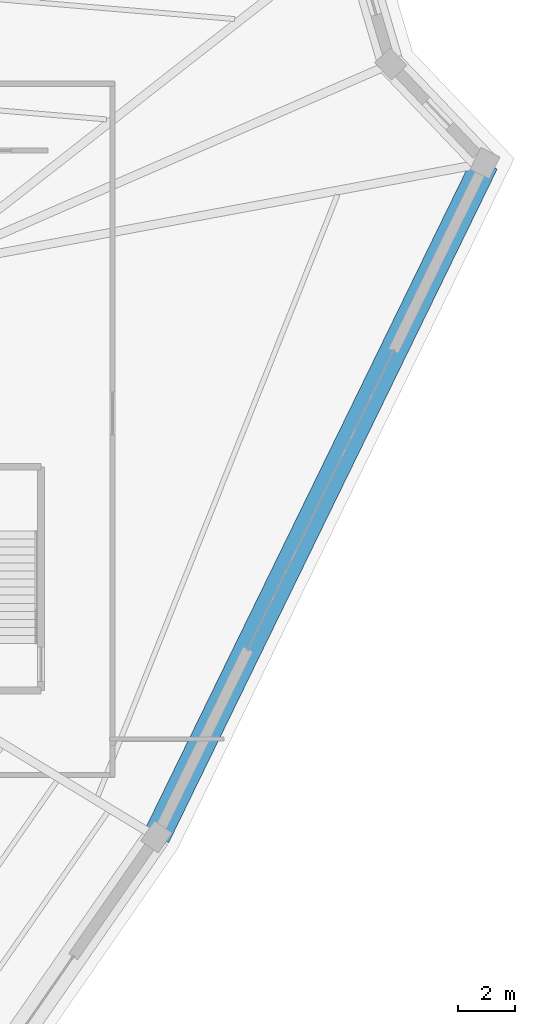
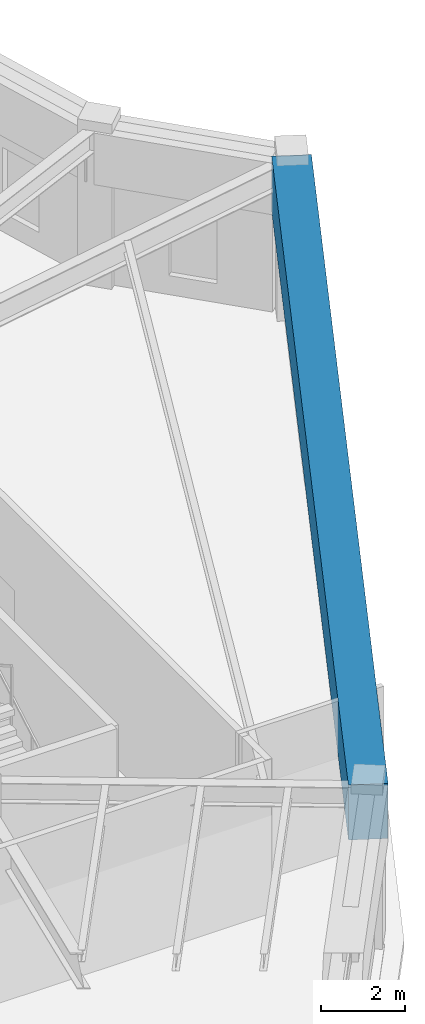
# One storey, part 17 of 40: 1 beam.
"""IFC4 building model written with IfcOpenShell, lengths in metres."""

import ifcopenshell
import ifcopenshell.guid

model = None  # the IFC model being written
_history = None  # IfcOwnerHistory: only IFC2X3 demands one
_inside = {}  # id of a spatial element -> (the spatial element, [elements in it])
_under = {}  # id of a project, library or spatial element -> (it, [spatial elements below it])
_declared = {}  # id of a project -> (the project, [libraries it declares])
_typed = {}  # id of a type object -> (the type object, [elements of that type])
_made_of = {}  # id of a material, layer set ... -> (it, [elements and type objects made of it])


def new_model(schema):
    """Start an empty IFC model of exactly this schema.

    Asked for "IFC4X3", IfcOpenShell would pick the latest addendum, in which some entities
    have other attributes; the version numbers below select the first issue.
    IFC2X3 requires an IfcOwnerHistory on every rooted entity: one is made here for all.
    """
    global model, _history
    if schema == "IFC4X3":
        model = ifcopenshell.file(schema_version=(4, 3, 0, 0))
    else:
        model = ifcopenshell.file(schema=schema)
    _inside.clear()
    _under.clear()
    _declared.clear()
    _typed.clear()
    _made_of.clear()
    _history = None
    if model.schema == "IFC2X3":
        org = make("IfcOrganization", Name="unknown")
        user = make(
            "IfcPersonAndOrganization",
            ThePerson=make("IfcPerson", FamilyName="unknown"),
            TheOrganization=org,
        )
        app = make(
            "IfcApplication",
            ApplicationDeveloper=org,
            Version="unknown",
            ApplicationFullName="unknown",
            ApplicationIdentifier="unknown",
        )
        _history = make(
            "IfcOwnerHistory",
            OwningUser=user,
            OwningApplication=app,
            ChangeAction="ADDED",
            CreationDate=0,
        )
    return model


def make(cls, **values):
    """One entity of the class cls with the attributes given. An attribute that is None is left unset."""
    return model.create_entity(
        cls, **{name: value for name, value in values.items() if value is not None}
    )


def rooted(cls, **values):
    """An entity with a GlobalId (a new one), such as an element, a storey or a relation."""
    return make(cls, GlobalId=ifcopenshell.guid.new(), OwnerHistory=_history, **values)


def si_unit(unit_type, name, prefix=None):
    """IfcSIUnit, for example si_unit("LENGTHUNIT", "METRE", prefix="MILLI")."""
    return make("IfcSIUnit", UnitType=unit_type, Prefix=prefix, Name=name)


def assignment(units):
    """IfcUnitAssignment: the units of a project."""
    return None if units is None else make("IfcUnitAssignment", Units=units)


def point(xyz):
    """IfcCartesianPoint."""
    return None if xyz is None else make("IfcCartesianPoint", Coordinates=xyz)


def direction(xyz):
    """IfcDirection."""
    return None if xyz is None else make("IfcDirection", DirectionRatios=xyz)


def frame(location, z_axis=None, x_axis=None):
    """IfcAxis2Placement3D, a coordinate frame: its origin and axes. An axis left out is left unset."""
    return make(
        "IfcAxis2Placement3D",
        Location=point(location),
        Axis=direction(z_axis),
        RefDirection=direction(x_axis),
    )


def frame_2d(location, x_axis=None):
    """IfcAxis2Placement2D, a coordinate frame in the plane: its origin and x axis."""
    return make(
        "IfcAxis2Placement2D", Location=point(location), RefDirection=direction(x_axis)
    )


def origin():
    """The frame at (0, 0, 0) with its axes left unset."""
    return frame((0.0, 0.0, 0.0))


def origin_2d():
    """The frame at (0, 0) in the plane with its x axis left unset."""
    return frame_2d((0.0, 0.0))


def place(relative_to, where):
    """IfcLocalPlacement: puts the frame where relative to a parent placement (None: the world)."""
    return make(
        "IfcLocalPlacement", PlacementRelTo=relative_to, RelativePlacement=where
    )


def context(
    kind, dimensions, precision=None, world=None, true_north=None, identifier=None
):
    """IfcGeometricRepresentationContext, for example the 3D "Model" context."""
    return make(
        "IfcGeometricRepresentationContext",
        ContextIdentifier=identifier,
        ContextType=kind,
        CoordinateSpaceDimension=dimensions,
        Precision=precision,
        WorldCoordinateSystem=world,
        TrueNorth=true_north,
    )


def subcontext(parent, identifier, kind, view, scale=None):
    """IfcGeometricRepresentationSubContext, for example "Body" below "Model"."""
    return make(
        "IfcGeometricRepresentationSubContext",
        ContextIdentifier=identifier,
        ContextType=kind,
        ParentContext=parent,
        TargetScale=scale,
        TargetView=view,
    )


def project(units=None, contexts=None):
    """IfcProject with its units and contexts."""
    return rooted(
        "IfcProject",
        Name="project",
        RepresentationContexts=contexts,
        UnitsInContext=assignment(units),
    )


def spatial(cls, under=None, at=None, **own):
    """A site, building, storey or space (cls), placed at a placement, below another one or the project."""
    s = rooted(cls, ObjectPlacement=at, **own)
    if under is not None:
        _under.setdefault(under.id(), (under, []))[1].append(s)
    return s


def profile(cls, at=None, kind="AREA", **sizes):
    """A parametric profile (cls). Its sizes go by their IFC names, for example OverallWidth=200.0."""
    return make(cls, ProfileType=kind, Position=at, **sizes)


def rectangle(**sizes):
    """IfcRectangleProfileDef."""
    return profile("IfcRectangleProfileDef", **sizes)


def extrude(swept, where, along, depth):
    """IfcExtrudedAreaSolid: the profile swept, set in the frame where, extruded along a direction by depth."""
    return make(
        "IfcExtrudedAreaSolid",
        SweptArea=swept,
        Position=where,
        ExtrudedDirection=direction(along),
        Depth=depth,
    )


def shape(context_of_items, identifier, shape_type, items):
    """IfcShapeRepresentation: the items that make up one representation, for example the "Body"."""
    return make(
        "IfcShapeRepresentation",
        ContextOfItems=context_of_items,
        RepresentationIdentifier=identifier,
        RepresentationType=shape_type,
        Items=items,
    )


def source(mapping_origin, context_of_items, identifier, shape_type, items):
    """IfcRepresentationMap: a shape defined once, which mapped items show again and again."""
    return make(
        "IfcRepresentationMap",
        MappingOrigin=mapping_origin,
        MappedRepresentation=shape(context_of_items, identifier, shape_type, items),
    )


def transform(
    local_origin,
    x_axis=None,
    y_axis=None,
    z_axis=None,
    scale=None,
    scale2=None,
    scale3=None,
    uniform=True,
):
    """IfcCartesianTransformationOperator3D, or its non-uniform kind. x_axis, y_axis, z_axis: its Axis1, 2, 3."""
    if uniform:
        return make(
            "IfcCartesianTransformationOperator3D",
            Axis1=direction(x_axis),
            Axis2=direction(y_axis),
            LocalOrigin=point(local_origin),
            Scale=scale,
            Axis3=direction(z_axis),
        )
    return make(
        "IfcCartesianTransformationOperator3DnonUniform",
        Axis1=direction(x_axis),
        Axis2=direction(y_axis),
        LocalOrigin=point(local_origin),
        Scale=scale,
        Axis3=direction(z_axis),
        Scale2=scale2,
        Scale3=scale3,
    )


def mapped(mapping_source, mapping_target):
    """IfcMappedItem: shows the shape of a source again, moved by a transform."""
    return make(
        "IfcMappedItem", MappingSource=mapping_source, MappingTarget=mapping_target
    )


def material(Name=None, Category=None):
    """IfcMaterial."""
    return make("IfcMaterial", Name=Name, Category=Category)


def material_profile(
    of_material, cross_section, Name=None, Category=None, Priority=None
):
    """IfcMaterialProfile: a cross section and its material."""
    return make(
        "IfcMaterialProfile",
        Name=Name,
        Material=of_material,
        Profile=cross_section,
        Priority=Priority,
        Category=Category,
    )


def profile_set(profiles, Name=None, composite=None):
    """IfcMaterialProfileSet."""
    return make(
        "IfcMaterialProfileSet",
        Name=Name,
        MaterialProfiles=profiles,
        CompositeProfile=composite,
    )


def made_of(thing, what):
    """Note that an element or type object is made of a material, layer set ...; save() writes the relation."""
    if what is not None:
        _made_of.setdefault(what.id(), (what, []))[1].append(thing)
    return thing


def type_object(cls, material=None, **own):
    """A type object (cls), such as IfcWallType, which elements share."""
    return made_of(rooted(cls, **own), material)


def element(
    cls,
    number,
    at=None,
    inside=None,
    cuts=None,
    type_object=None,
    material=None,
    context=None,
    identifier="Body",
    shape_type=None,
    held_by="IfcProductDefinitionShape",
    body=None,
    shapes=None,
    **own,
):
    """One element of the class cls, such as IfcWall. Its Tag is "e" and its number.

    at: its placement. inside: the storey or other place that contains it. cuts: it is an
    opening in that element (IfcRelVoidsElement). A single representation is given by context,
    identifier, shape_type and body (its items); several are given by shapes. held_by: the class
    of the entity that holds the representations. save() writes the other relations.
    """
    e = rooted(cls, Tag="e%d" % number, ObjectPlacement=at, **own)
    if body is not None:
        shapes = [shape(context, identifier, shape_type, body)]
    if shapes is not None:
        e.Representation = make(held_by, Representations=shapes)
    if inside is not None:
        _inside.setdefault(inside.id(), (inside, []))[1].append(e)
    if cuts is not None:
        rooted(
            "IfcRelVoidsElement", RelatingBuildingElement=cuts, RelatedOpeningElement=e
        )
    if type_object is not None:
        _typed.setdefault(type_object.id(), (type_object, []))[1].append(e)
    return made_of(e, material)


def aggregate(whole, parts):
    """IfcRelAggregates: a whole, such as a stair, and the parts it consists of."""
    return rooted("IfcRelAggregates", RelatingObject=whole, RelatedObjects=parts)


def save(model, path):
    """Write the relations noted so far, then the file.

    IfcRelAggregates (storeys below a building ...), IfcRelContainedInSpatialStructure (elements
    in a storey), IfcRelDefinesByType, IfcRelAssociatesMaterial and IfcRelDeclares: one each for
    every whole, place, type object, material and project.
    """
    for whole, parts in _under.values():
        aggregate(whole, parts)
    for where, things in _inside.values():
        rooted(
            "IfcRelContainedInSpatialStructure",
            RelatedElements=things,
            RelatingStructure=where,
        )
    for kind, things in _typed.values():
        rooted("IfcRelDefinesByType", RelatedObjects=things, RelatingType=kind)
    for what, things in _made_of.values():
        rooted("IfcRelAssociatesMaterial", RelatedObjects=things, RelatingMaterial=what)
    for by, libraries in _declared.values():
        rooted("IfcRelDeclares", RelatingContext=by, RelatedDefinitions=libraries)
    model.write(path)


model = new_model("IFC4")

# Units and contexts
model_context = context("Model", 3, precision=1e-05, world=origin(), true_north=direction((0.0, 1.0)))
body_context = subcontext(model_context, "Body", "Model", "MODEL_VIEW")
ifc_project = project(units=[si_unit("LENGTHUNIT", "METRE"), si_unit("AREAUNIT", "SQUARE_METRE"), si_unit("VOLUMEUNIT", "CUBIC_METRE"), si_unit("PLANEANGLEUNIT", "RADIAN"), si_unit("MASSUNIT", "GRAM", prefix="KILO")], contexts=[model_context])

# Site, building, storey
site_placement = place(None, origin())
site = spatial("IfcSite", under=ifc_project, at=site_placement, CompositionType="ELEMENT")
building_placement = place(site_placement, origin())
building = spatial("IfcBuilding", under=site, at=building_placement, Name="Liaohun Quay Tower", CompositionType="ELEMENT")
storey_placement = place(building_placement, frame((0.0, 0.0, 351.0)))
storey = spatial("IfcBuildingStorey", under=building, at=storey_placement, Name="L91", CompositionType="ELEMENT", Elevation=351.0)

# Beam
ifc_material = material(Name="Concrete C55", Category="concrete")
ifc_material_profile = material_profile(ifc_material, rectangle(XDim=0.949951171875, YDim=1.60009765625, at=origin_2d()), Name="RC950x1600")
ifc_profile_set = profile_set([ifc_material_profile], Name="Concrete C55")
beam_type = type_object("IfcBeamType", Name="BM-CAN-LNG", PredefinedType="SPANDREL", material=ifc_profile_set)
shared_shape = source(origin(), body_context, "Body", "SweptSolid", [
    extrude(rectangle(XDim=0.949951171875, YDim=1.60009765625, at=origin_2d()), origin(), (0.0, 0.0, 1.0), 26.20703125),
])
beam_placement = place(storey_placement, frame((88.5830078125, 65.136962890625, 3.719970703125), z_axis=(-0.438356638262, -0.898801122435, 0.0), x_axis=(0.898801122435, -0.438356638262, 0.0)))
element("IfcBeam", 1, at=beam_placement, inside=storey, type_object=beam_type, Name="L91 Precast Spandrel Beam PC09-PC10", PredefinedType="SPANDREL", context=body_context, shape_type="MappedRepresentation", body=[
    mapped(shared_shape, transform((0.0, 0.0, 0.0), x_axis=(1.0, 0.0, 0.0), y_axis=(0.0, 1.0, 0.0), z_axis=(0.0, 0.0, 1.0), scale=1.0)),
])

save(model, "model.ifc")
